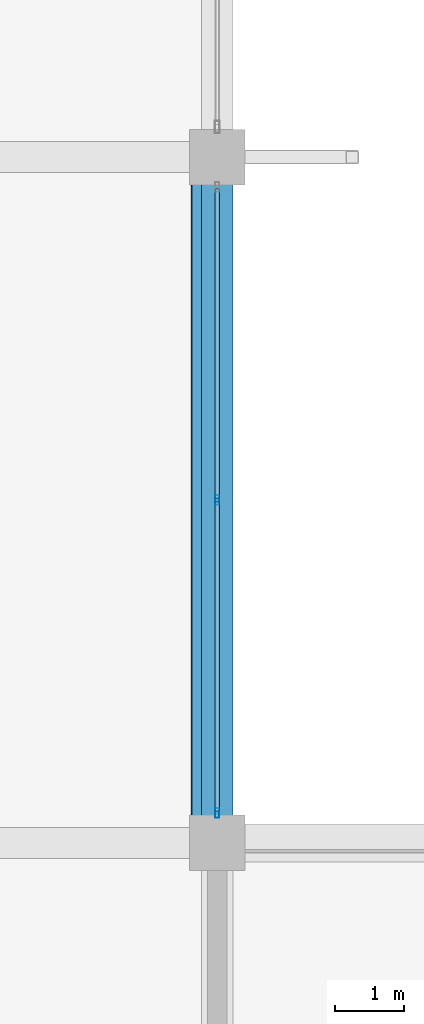
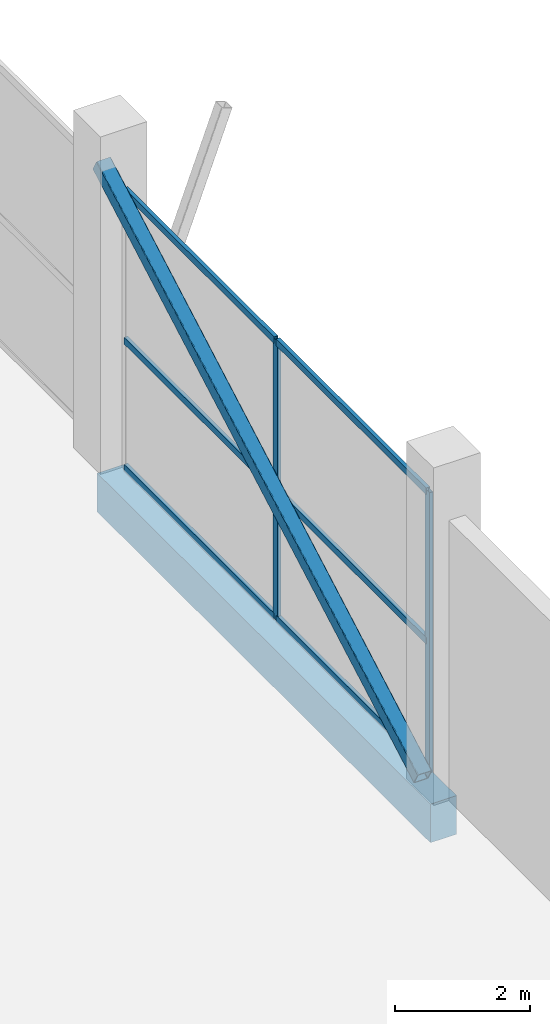
# One storey, part 10 of 46: 9 members, 1 beam, 1 element without a shape of its own.
"""IFC4 building model written with IfcOpenShell, lengths in metres."""

from ifc_helpers import new_model, si_unit, direction, frame, origin, origin_2d, place, context, subcontext, project, spatial, rectangle, hollow_rectangle, extrude, material, layer, layer_set, material_profile, profile_set, type_object, element, aggregate, save


model = new_model("IFC4")

# Units and contexts
model_context = context("Model", 3, precision=1e-05, world=origin(), true_north=direction((0.0, 1.0)))
body_context = subcontext(model_context, "Body", "Model", "MODEL_VIEW")
ifc_project = project(units=[si_unit("LENGTHUNIT", "METRE"), si_unit("AREAUNIT", "SQUARE_METRE"), si_unit("VOLUMEUNIT", "CUBIC_METRE"), si_unit("PLANEANGLEUNIT", "RADIAN"), si_unit("MASSUNIT", "GRAM", prefix="KILO")], contexts=[model_context])

# Site, building, storey
site_placement = place(None, origin())
site = spatial("IfcSite", under=ifc_project, at=site_placement, CompositionType="ELEMENT")
building_placement = place(site_placement, origin())
building = spatial("IfcBuilding", under=site, at=building_placement, Name="Sillaruma Civic Art Gallery", CompositionType="ELEMENT")
storey_placement = place(building_placement, frame((0.0, 0.0, 16.320068359375)))
storey = spatial("IfcBuildingStorey", under=building, at=storey_placement, Name="L03", CompositionType="ELEMENT", Elevation=16.320068359375)

# Beam
ifc_material_1 = material(Name="Concrete H35 (35 MPa)", Category="concrete")
ifc_material_profile_1 = material_profile(ifc_material_1, rectangle(XDim=0.449951171875, YDim=0.699951171875, at=origin_2d()), Name="RCB450x700")
ifc_profile_set_1 = profile_set([ifc_material_profile_1], Name="Concrete H35 (35 MPa)")
beam_type = type_object("IfcBeamType", Name="BM-SPANDREL-RCB450x700", PredefinedType="SPANDREL", material=ifc_profile_set_1)
beam_placement = place(storey_placement, frame((114.39990234375, 39.60009765625, -0.630126953125), z_axis=(0.0, 1.0, 0.0), x_axis=(-1.0, 0.0, 0.0)))
element("IfcBeam", 1, at=beam_placement, inside=storey, type_object=beam_type, Name="Beam BS-03 (L02:N:5-6)", PredefinedType="SPANDREL", context=body_context, shape_type="SweptSolid", body=[
    extrude(rectangle(XDim=0.449951171875, YDim=0.699951171875, at=origin_2d()), origin(), (0.0, 0.0, 1.0), 9.89990234375),
])

# Member
ifc_material_2 = material(Name="Structural Steel ASTM A500 Gr.C", Category="steel")
ifc_material_profile_2 = material_profile(ifc_material_2, hollow_rectangle(XDim=0.25, YDim=0.25, WallThickness=0.012451171875, InnerFilletRadius=0.012451171875, OuterFilletRadius=0.02490234375, at=origin_2d()), Name="HSS250x250x12.5")
ifc_profile_set_2 = profile_set([ifc_material_profile_2], Name="Structural Steel ASTM A500 Gr.C")
member_type_1 = type_object("IfcMemberType", Name="MEM-MEGA-BRACE", PredefinedType="BRACE", material=ifc_profile_set_2)
member_1_placement = place(storey_placement, frame((114.14990234375, 39.780029296875, 0.119873046875), z_axis=(0.0, 0.872597010245, 0.488440843615), x_axis=(-1.0, 0.0, 0.0)))
element("IfcMember", 2, at=member_1_placement, inside=storey, type_object=member_type_1, Name="Gallery Spine Diagonal Steel Brace (L03-E1)", PredefinedType="BRACE", context=body_context, shape_type="SweptSolid", body=[
    extrude(hollow_rectangle(XDim=0.25, YDim=0.25, WallThickness=0.012451171875, InnerFilletRadius=0.012451171875, OuterFilletRadius=0.02490234375, at=origin_2d()), origin(), (0.0, 0.0, 1.0), 10.932861328125),
])

# Curtain wall, members
ifc_material_3 = material(Name="Thermally Broken Extruded Aluminium 6063-T6", Category="aluminium")
ifc_layer = layer(ifc_material_3, 0.139892578125, Name="Thermally Broken Extruded Aluminium 6063-T6")
ifc_layer_set = layer_set([ifc_layer], Name="Thermally Broken Extruded Aluminium 6063-T6")
curtain_wall_type = type_object("IfcCurtainWallType", Name="CW-UNI-20", PredefinedType="NOTDEFINED", material=ifc_layer_set)
curtain_wall_placement = place(storey_placement, origin())
curtain_wall = element("IfcCurtainWall", 3, at=curtain_wall_placement, inside=storey, type_object=curtain_wall_type, Name="Unitised Curtain Wall CW-20 (CW-L03-E-3)", PredefinedType="NOTDEFINED")
ifc_material_profile_3 = material_profile(ifc_material_3, hollow_rectangle(XDim=0.06005859375, YDim=0.139892578125, WallThickness=0.00341796875, at=origin_2d()), Name="CWM60x140")
ifc_profile_set_3 = profile_set([ifc_material_profile_3], Name="Thermally Broken Extruded Aluminium 6063-T6")
member_type_2 = type_object("IfcMemberType", Name="MEM-MUL-CWM60x140", PredefinedType="MULLION", material=ifc_profile_set_3)
member_2_placement = place(storey_placement, frame((114.39990234375, 40.030029296875, 0.0), z_axis=(0.0, 0.0, 1.0), x_axis=(-1.0, 0.0, 0.0)))
member_2 = element("IfcMember", 4, at=member_2_placement, type_object=member_type_2, Name="CW-20 mullion 1", PredefinedType="MULLION", context=body_context, shape_type="SweptSolid", body=[
    extrude(hollow_rectangle(XDim=0.06005859375, YDim=0.139892578125, WallThickness=0.00341796875, at=origin_2d()), origin(), (0.0, 0.0, 1.0), 5.079833984375),
])
member_3_placement = place(storey_placement, frame((114.39990234375, 44.550048828125, 0.0), z_axis=(0.0, 0.0, 1.0), x_axis=(-1.0, 0.0, 0.0)))
member_3 = element("IfcMember", 5, at=member_3_placement, type_object=member_type_2, Name="CW-20 mullion 2", PredefinedType="MULLION", context=body_context, shape_type="SweptSolid", body=[
    extrude(hollow_rectangle(XDim=0.06005859375, YDim=0.139892578125, WallThickness=0.00341796875, at=origin_2d()), origin(), (0.0, 0.0, 1.0), 5.079833984375),
])
ifc_material_profile_4 = material_profile(ifc_material_3, hollow_rectangle(XDim=0.06494140625, YDim=0.1201171875, WallThickness=0.00341796875, at=origin_2d()), Name="CWT65x120")
ifc_profile_set_4 = profile_set([ifc_material_profile_4], Name="Thermally Broken Extruded Aluminium 6063-T6")
member_type_3 = type_object("IfcMemberType", Name="MEM-TRN-CWT65x120", PredefinedType="USERDEFINED", material=ifc_profile_set_4)
member_4_placement = place(storey_placement, frame((114.39990234375, 40.06005859375, 0.032470703125), z_axis=(0.0, 1.0, 0.0), x_axis=(-1.0, 0.0, 0.0)))
member_4 = element("IfcMember", 6, at=member_4_placement, type_object=member_type_3, Name="CW-20 transom 1.1", ObjectType="TRANSOM", PredefinedType="USERDEFINED", context=body_context, shape_type="SweptSolid", body=[
    extrude(hollow_rectangle(XDim=0.06494140625, YDim=0.1201171875, WallThickness=0.00341796875, at=origin_2d()), origin(), (0.0, 0.0, 1.0), 4.4599609375),
])
member_5_placement = place(storey_placement, frame((114.39990234375, 40.06005859375, 2.336669921875), z_axis=(0.0, 1.0, 0.0), x_axis=(-1.0, 0.0, 0.0)))
member_5 = element("IfcMember", 7, at=member_5_placement, type_object=member_type_3, Name="CW-20 transom 1.2", ObjectType="TRANSOM", PredefinedType="USERDEFINED", context=body_context, shape_type="SweptSolid", body=[
    extrude(hollow_rectangle(XDim=0.06494140625, YDim=0.1201171875, WallThickness=0.00341796875, at=origin_2d()), origin(), (0.0, 0.0, 1.0), 4.4599609375),
])
member_6_placement = place(storey_placement, frame((114.39990234375, 40.06005859375, 5.04736328125), z_axis=(0.0, 1.0, 0.0), x_axis=(-1.0, 0.0, 0.0)))
member_6 = element("IfcMember", 8, at=member_6_placement, type_object=member_type_3, Name="CW-20 transom 1.3", ObjectType="TRANSOM", PredefinedType="USERDEFINED", context=body_context, shape_type="SweptSolid", body=[
    extrude(hollow_rectangle(XDim=0.06494140625, YDim=0.1201171875, WallThickness=0.00341796875, at=origin_2d()), origin(), (0.0, 0.0, 1.0), 4.4599609375),
])
member_7_placement = place(storey_placement, frame((114.39990234375, 44.580078125, 0.032470703125), z_axis=(0.0, 1.0, 0.0), x_axis=(-1.0, 0.0, 0.0)))
member_7 = element("IfcMember", 9, at=member_7_placement, type_object=member_type_3, Name="CW-20 transom 2.1", ObjectType="TRANSOM", PredefinedType="USERDEFINED", context=body_context, shape_type="SweptSolid", body=[
    extrude(hollow_rectangle(XDim=0.06494140625, YDim=0.1201171875, WallThickness=0.00341796875, at=origin_2d()), origin(), (0.0, 0.0, 1.0), 4.4599609375),
])
member_8_placement = place(storey_placement, frame((114.39990234375, 44.580078125, 2.336669921875), z_axis=(0.0, 1.0, 0.0), x_axis=(-1.0, 0.0, 0.0)))
member_8 = element("IfcMember", 10, at=member_8_placement, type_object=member_type_3, Name="CW-20 transom 2.2", ObjectType="TRANSOM", PredefinedType="USERDEFINED", context=body_context, shape_type="SweptSolid", body=[
    extrude(hollow_rectangle(XDim=0.06494140625, YDim=0.1201171875, WallThickness=0.00341796875, at=origin_2d()), origin(), (0.0, 0.0, 1.0), 4.4599609375),
])
member_9_placement = place(storey_placement, frame((114.39990234375, 44.580078125, 5.04736328125), z_axis=(0.0, 1.0, 0.0), x_axis=(-1.0, 0.0, 0.0)))
member_9 = element("IfcMember", 11, at=member_9_placement, type_object=member_type_3, Name="CW-20 transom 2.3", ObjectType="TRANSOM", PredefinedType="USERDEFINED", context=body_context, shape_type="SweptSolid", body=[
    extrude(hollow_rectangle(XDim=0.06494140625, YDim=0.1201171875, WallThickness=0.00341796875, at=origin_2d()), origin(), (0.0, 0.0, 1.0), 4.4599609375),
])
aggregate(curtain_wall, [member_2, member_3, member_4, member_5, member_6, member_7, member_8, member_9])

save(model, "model.ifc")
